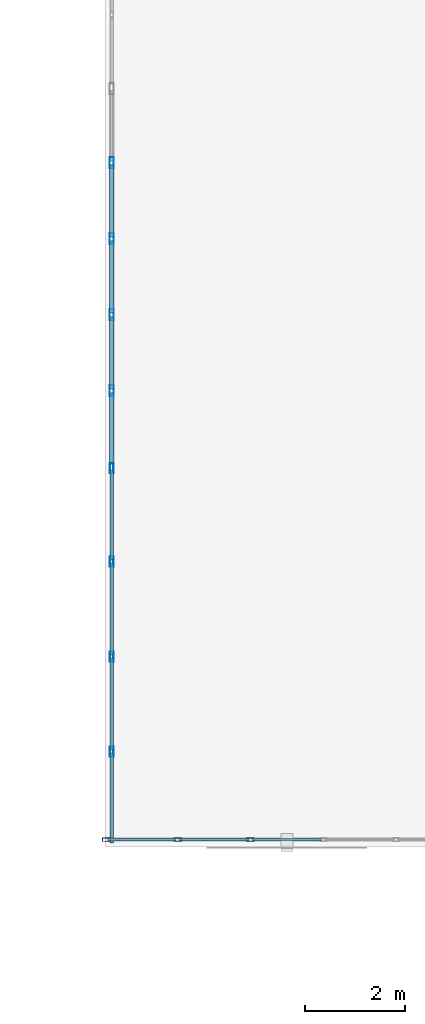
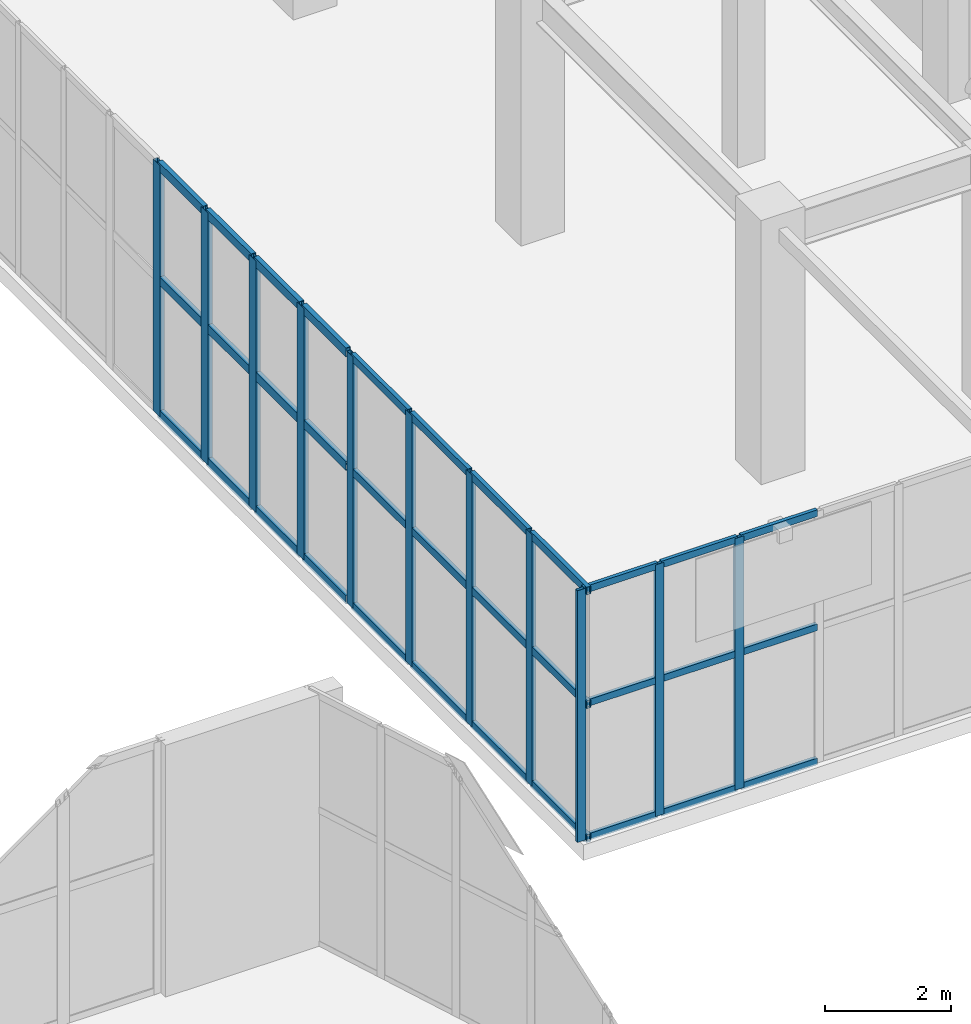
# One storey, part 72 of 128: 44 members, 3 elements without a shape of their own.
"""IFC4 building model written with IfcOpenShell, lengths in metres."""

from ifc_helpers import new_model, si_unit, direction, frame, origin, origin_2d, place, context, subcontext, project, spatial, hollow_rectangle, extrude, material, layer, layer_set, material_profile, profile_set, type_object, element, aggregate, save


model = new_model("IFC4")

# Units and contexts
model_context = context("Model", 3, precision=1e-05, world=origin(), true_north=direction((0.0, 1.0)))
body_context = subcontext(model_context, "Body", "Model", "MODEL_VIEW")
ifc_project = project(units=[si_unit("LENGTHUNIT", "METRE"), si_unit("AREAUNIT", "SQUARE_METRE"), si_unit("VOLUMEUNIT", "CUBIC_METRE"), si_unit("PLANEANGLEUNIT", "RADIAN"), si_unit("MASSUNIT", "GRAM", prefix="KILO")], contexts=[model_context])

# Site, building, storey
site_placement = place(None, origin())
site = spatial("IfcSite", under=ifc_project, at=site_placement, CompositionType="ELEMENT")
building_placement = place(site_placement, origin())
building = spatial("IfcBuilding", under=site, at=building_placement, Name="Xicomal Pleat Aquarium", CompositionType="ELEMENT")
storey_placement = place(building_placement, frame((0.0, 0.0, 5.39990234375)))
storey = spatial("IfcBuildingStorey", under=building, at=storey_placement, Name="L02", CompositionType="ELEMENT", Elevation=5.39990234375)

# Curtain wall, members
ifc_material_1 = material(Name="Bronze anodized aluminium 6063-T6", Category="aluminium")
ifc_layer_1 = layer(ifc_material_1, 0.159912109375)
ifc_layer_set_1 = layer_set([ifc_layer_1], Name="Bronze anodized aluminium 6063-T6")
curtain_wall_type_1 = type_object("IfcCurtainWallType", Name="CW-SYS-02", PredefinedType="NOTDEFINED", material=ifc_layer_set_1)
curtain_wall_1_placement = place(storey_placement, origin())
curtain_wall_1 = element("IfcCurtainWall", 1, at=curtain_wall_1_placement, inside=storey, type_object=curtain_wall_type_1, Name="L02 unitised curtain wall CW-L02-084", PredefinedType="NOTDEFINED")
ifc_material_2 = material(Name="Bronze anodized aluminium 6063-T6", Category="aluminium")
ifc_material_profile_1 = material_profile(ifc_material_2, hollow_rectangle(XDim=0.06494140625, YDim=0.159912109375, WallThickness=0.00390625, at=origin_2d()), Name="ALU MULL 65x160")
ifc_profile_set_1 = profile_set([ifc_material_profile_1], Name="Bronze anodized aluminium 6063-T6")
member_type_1 = type_object("IfcMemberType", Name="CWM-65x160", PredefinedType="MULLION", material=ifc_profile_set_1)
member_1_placement = place(storey_placement, frame((128.912109375, 76.139892578125, 0.0), z_axis=(0.0, 0.0, 1.0), x_axis=(0.0, -1.0, 0.0)))
member_1 = element("IfcMember", 2, at=member_1_placement, type_object=member_type_1, Name="CW-02 mullion 4", PredefinedType="MULLION", context=body_context, shape_type="SweptSolid", body=[
    extrude(hollow_rectangle(XDim=0.06494140625, YDim=0.159912109375, WallThickness=0.00390625, at=origin_2d()), origin(), (0.0, 0.0, 1.0), 4.860107421875),
])
member_2_placement = place(storey_placement, frame((127.4560546875, 76.139892578125, 0.0), z_axis=(0.0, 0.0, 1.0), x_axis=(0.0, -1.0, 0.0)))
member_2 = element("IfcMember", 3, at=member_2_placement, type_object=member_type_1, Name="CW-02 mullion 5", PredefinedType="MULLION", context=body_context, shape_type="SweptSolid", body=[
    extrude(hollow_rectangle(XDim=0.06494140625, YDim=0.159912109375, WallThickness=0.00390625, at=origin_2d()), origin(), (0.0, 0.0, 1.0), 4.860107421875),
])
member_3_placement = place(storey_placement, frame((126.032470703125, 76.139892578125, 0.0), z_axis=(0.0, 0.0, 1.0), x_axis=(0.0, -1.0, 0.0)))
member_3 = element("IfcMember", 4, at=member_3_placement, type_object=member_type_1, Name="CW-02 mullion 6", PredefinedType="MULLION", context=body_context, shape_type="SweptSolid", body=[
    extrude(hollow_rectangle(XDim=0.06494140625, YDim=0.159912109375, WallThickness=0.00390625, at=origin_2d()), origin(), (0.0, 0.0, 1.0), 4.860107421875),
])

ifc_material_3 = material(Name="Bronze anodized aluminium 6063-T6", Category="aluminium")
ifc_layer_2 = layer(ifc_material_3, 0.159912109375)
ifc_layer_set_2 = layer_set([ifc_layer_2], Name="Bronze anodized aluminium 6063-T6")
curtain_wall_type_2 = type_object("IfcCurtainWallType", Name="CW-SYS-07", PredefinedType="NOTDEFINED", material=ifc_layer_set_2)
curtain_wall_2_placement = place(storey_placement, origin())
curtain_wall_2 = element("IfcCurtainWall", 5, at=curtain_wall_2_placement, inside=storey, type_object=curtain_wall_type_2, Name="L02 unitised curtain wall CW-L02-085", PredefinedType="NOTDEFINED")
ifc_material_4 = material(Name="Bronze anodized aluminium 6063-T6", Category="aluminium")
ifc_material_profile_2 = material_profile(ifc_material_4, hollow_rectangle(XDim=0.074951171875, YDim=0.199951171875, WallThickness=0.00439453125, at=origin_2d()), Name="ALU MULL 75x200")
ifc_profile_set_2 = profile_set([ifc_material_profile_2], Name="Bronze anodized aluminium 6063-T6")
member_type_2 = type_object("IfcMemberType", Name="CWM-75x200", PredefinedType="MULLION", material=ifc_profile_set_2)
member_4_placement = place(storey_placement, frame((126.139892578125, 77.89990234375, 0.0), z_axis=(0.0, 0.0, 1.0), x_axis=(-1.0, 0.0, 0.0)))
member_4 = element("IfcMember", 6, at=member_4_placement, type_object=member_type_2, Name="CW-07 mullion 2", PredefinedType="MULLION", context=body_context, shape_type="SweptSolid", body=[
    extrude(hollow_rectangle(XDim=0.074951171875, YDim=0.199951171875, WallThickness=0.00439453125, at=origin_2d()), origin(), (0.0, 0.0, 1.0), 4.860107421875),
])
member_5_placement = place(storey_placement, frame((126.139892578125, 79.800048828125, 0.0), z_axis=(0.0, 0.0, 1.0), x_axis=(-1.0, 0.0, 0.0)))
member_5 = element("IfcMember", 7, at=member_5_placement, type_object=member_type_2, Name="CW-07 mullion 3", PredefinedType="MULLION", context=body_context, shape_type="SweptSolid", body=[
    extrude(hollow_rectangle(XDim=0.074951171875, YDim=0.199951171875, WallThickness=0.00439453125, at=origin_2d()), origin(), (0.0, 0.0, 1.0), 4.860107421875),
])
member_6_placement = place(storey_placement, frame((126.139892578125, 81.699951171875, 0.0), z_axis=(0.0, 0.0, 1.0), x_axis=(-1.0, 0.0, 0.0)))
member_6 = element("IfcMember", 8, at=member_6_placement, type_object=member_type_2, Name="CW-07 mullion 4", PredefinedType="MULLION", context=body_context, shape_type="SweptSolid", body=[
    extrude(hollow_rectangle(XDim=0.074951171875, YDim=0.199951171875, WallThickness=0.00439453125, at=origin_2d()), origin(), (0.0, 0.0, 1.0), 4.860107421875),
])
member_7_placement = place(storey_placement, frame((126.139892578125, 83.5625, 0.0), z_axis=(0.0, 0.0, 1.0), x_axis=(-1.0, 0.0, 0.0)))
member_7 = element("IfcMember", 9, at=member_7_placement, type_object=member_type_2, Name="CW-07 mullion 5", PredefinedType="MULLION", context=body_context, shape_type="SweptSolid", body=[
    extrude(hollow_rectangle(XDim=0.074951171875, YDim=0.199951171875, WallThickness=0.00439453125, at=origin_2d()), origin(), (0.0, 0.0, 1.0), 4.860107421875),
])

ifc_material_5 = material(Name="Bronze anodized aluminium 6063-T6", Category="aluminium")
ifc_layer_3 = layer(ifc_material_5, 0.159912109375)
ifc_layer_set_3 = layer_set([ifc_layer_3], Name="Bronze anodized aluminium 6063-T6")
curtain_wall_type_3 = type_object("IfcCurtainWallType", Name="CW-SYS-12", PredefinedType="NOTDEFINED", material=ifc_layer_set_3)
curtain_wall_3_placement = place(storey_placement, origin())
curtain_wall_3 = element("IfcCurtainWall", 10, at=curtain_wall_3_placement, inside=storey, type_object=curtain_wall_type_3, Name="L02 unitised curtain wall CW-L02-086", PredefinedType="NOTDEFINED")
ifc_material_6 = material(Name="Bronze anodized aluminium 6063-T6", Category="aluminium")
ifc_material_profile_3 = material_profile(ifc_material_6, hollow_rectangle(XDim=0.0849609375, YDim=0.219970703125, WallThickness=0.0048828125, at=origin_2d()), Name="ALU MULL 85x220")
ifc_profile_set_3 = profile_set([ifc_material_profile_3], Name="Bronze anodized aluminium 6063-T6")
member_type_3 = type_object("IfcMemberType", Name="CWM-85x220", PredefinedType="MULLION", material=ifc_profile_set_3)
member_8_placement = place(storey_placement, frame((126.139892578125, 85.1201171875, 0.0), z_axis=(0.0, 0.0, 1.0), x_axis=(-1.0, 0.0, 0.0)))
member_8 = element("IfcMember", 11, at=member_8_placement, type_object=member_type_3, Name="CW-12 mullion 2", PredefinedType="MULLION", context=body_context, shape_type="SweptSolid", body=[
    extrude(hollow_rectangle(XDim=0.0849609375, YDim=0.219970703125, WallThickness=0.0048828125, at=origin_2d()), origin(), (0.0, 0.0, 1.0), 4.860107421875),
])
member_9_placement = place(storey_placement, frame((126.139892578125, 86.639892578125, 0.0), z_axis=(0.0, 0.0, 1.0), x_axis=(-1.0, 0.0, 0.0)))
member_9 = element("IfcMember", 12, at=member_9_placement, type_object=member_type_3, Name="CW-12 mullion 3", PredefinedType="MULLION", context=body_context, shape_type="SweptSolid", body=[
    extrude(hollow_rectangle(XDim=0.0849609375, YDim=0.219970703125, WallThickness=0.0048828125, at=origin_2d()), origin(), (0.0, 0.0, 1.0), 4.860107421875),
])
member_10_placement = place(storey_placement, frame((126.139892578125, 88.159912109375, 0.0), z_axis=(0.0, 0.0, 1.0), x_axis=(-1.0, 0.0, 0.0)))
member_10 = element("IfcMember", 13, at=member_10_placement, type_object=member_type_3, Name="CW-12 mullion 4", PredefinedType="MULLION", context=body_context, shape_type="SweptSolid", body=[
    extrude(hollow_rectangle(XDim=0.0849609375, YDim=0.219970703125, WallThickness=0.0048828125, at=origin_2d()), origin(), (0.0, 0.0, 1.0), 4.860107421875),
])
member_11_placement = place(storey_placement, frame((126.139892578125, 89.679931640625, 0.0), z_axis=(0.0, 0.0, 1.0), x_axis=(-1.0, 0.0, 0.0)))
member_11 = element("IfcMember", 14, at=member_11_placement, type_object=member_type_3, Name="CW-12 mullion 5", PredefinedType="MULLION", context=body_context, shape_type="SweptSolid", body=[
    extrude(hollow_rectangle(XDim=0.0849609375, YDim=0.219970703125, WallThickness=0.0048828125, at=origin_2d()), origin(), (0.0, 0.0, 1.0), 4.860107421875),
])

# Member
ifc_material_7 = material(Name="Bronze anodized aluminium 6063-T6", Category="aluminium")
ifc_material_profile_4 = material_profile(ifc_material_7, hollow_rectangle(XDim=0.06494140625, YDim=0.1298828125, WallThickness=0.00390625, at=origin_2d()), Name="ALU TRAN 65x130")
ifc_profile_set_4 = profile_set([ifc_material_profile_4], Name="Bronze anodized aluminium 6063-T6")
member_type_4 = type_object("IfcMemberType", Name="CWT-65x130", PredefinedType="USERDEFINED", material=ifc_profile_set_4)
member_12_placement = place(storey_placement, frame((130.33544921875, 76.139892578125, 0.03271484375), z_axis=(-1.0, 0.0, 0.0), x_axis=(0.0, -1.0, 0.0)))
member_12 = element("IfcMember", 15, at=member_12_placement, type_object=member_type_4, Name="CW-02 transom 3.1", ObjectType="TRANSOM", PredefinedType="USERDEFINED", context=body_context, shape_type="SweptSolid", body=[
    extrude(hollow_rectangle(XDim=0.06494140625, YDim=0.1298828125, WallThickness=0.00390625, at=origin_2d()), origin(), (0.0, 0.0, 1.0), 1.390869140625),
])

member_13_placement = place(storey_placement, frame((130.33544921875, 76.139892578125, 2.6240234375), z_axis=(-1.0, 0.0, 0.0), x_axis=(0.0, -1.0, 0.0)))
member_13 = element("IfcMember", 16, at=member_13_placement, type_object=member_type_4, Name="CW-02 transom 3.2", ObjectType="TRANSOM", PredefinedType="USERDEFINED", context=body_context, shape_type="SweptSolid", body=[
    extrude(hollow_rectangle(XDim=0.06494140625, YDim=0.1298828125, WallThickness=0.00390625, at=origin_2d()), origin(), (0.0, 0.0, 1.0), 1.390869140625),
])

member_14_placement = place(storey_placement, frame((130.33544921875, 76.139892578125, 4.82763671875), z_axis=(-1.0, 0.0, 0.0), x_axis=(0.0, -1.0, 0.0)))
member_14 = element("IfcMember", 17, at=member_14_placement, type_object=member_type_4, Name="CW-02 transom 3.3", ObjectType="TRANSOM", PredefinedType="USERDEFINED", context=body_context, shape_type="SweptSolid", body=[
    extrude(hollow_rectangle(XDim=0.06494140625, YDim=0.1298828125, WallThickness=0.00390625, at=origin_2d()), origin(), (0.0, 0.0, 1.0), 1.390869140625),
])

member_15_placement = place(storey_placement, frame((128.87939453125, 76.139892578125, 0.03271484375), z_axis=(-1.0, 0.0, 0.0), x_axis=(0.0, -1.0, 0.0)))
member_15 = element("IfcMember", 18, at=member_15_placement, type_object=member_type_4, Name="CW-02 transom 4.1", ObjectType="TRANSOM", PredefinedType="USERDEFINED", context=body_context, shape_type="SweptSolid", body=[
    extrude(hollow_rectangle(XDim=0.06494140625, YDim=0.1298828125, WallThickness=0.00390625, at=origin_2d()), origin(), (0.0, 0.0, 1.0), 1.390869140625),
])

member_16_placement = place(storey_placement, frame((128.87939453125, 76.139892578125, 2.6240234375), z_axis=(-1.0, 0.0, 0.0), x_axis=(0.0, -1.0, 0.0)))
member_16 = element("IfcMember", 19, at=member_16_placement, type_object=member_type_4, Name="CW-02 transom 4.2", ObjectType="TRANSOM", PredefinedType="USERDEFINED", context=body_context, shape_type="SweptSolid", body=[
    extrude(hollow_rectangle(XDim=0.06494140625, YDim=0.1298828125, WallThickness=0.00390625, at=origin_2d()), origin(), (0.0, 0.0, 1.0), 1.390869140625),
])

member_17_placement = place(storey_placement, frame((128.87939453125, 76.139892578125, 4.82763671875), z_axis=(-1.0, 0.0, 0.0), x_axis=(0.0, -1.0, 0.0)))
member_17 = element("IfcMember", 20, at=member_17_placement, type_object=member_type_4, Name="CW-02 transom 4.3", ObjectType="TRANSOM", PredefinedType="USERDEFINED", context=body_context, shape_type="SweptSolid", body=[
    extrude(hollow_rectangle(XDim=0.06494140625, YDim=0.1298828125, WallThickness=0.00390625, at=origin_2d()), origin(), (0.0, 0.0, 1.0), 1.390869140625),
])

member_18_placement = place(storey_placement, frame((127.423583984375, 76.139892578125, 0.03271484375), z_axis=(-1.0, 0.0, 0.0), x_axis=(0.0, -1.0, 0.0)))
member_18 = element("IfcMember", 21, at=member_18_placement, type_object=member_type_4, Name="CW-02 transom 5.1", ObjectType="TRANSOM", PredefinedType="USERDEFINED", context=body_context, shape_type="SweptSolid", body=[
    extrude(hollow_rectangle(XDim=0.06494140625, YDim=0.1298828125, WallThickness=0.00390625, at=origin_2d()), origin(), (0.0, 0.0, 1.0), 1.358642578125),
])

member_19_placement = place(storey_placement, frame((127.423583984375, 76.139892578125, 2.6240234375), z_axis=(-1.0, 0.0, 0.0), x_axis=(0.0, -1.0, 0.0)))
member_19 = element("IfcMember", 22, at=member_19_placement, type_object=member_type_4, Name="CW-02 transom 5.2", ObjectType="TRANSOM", PredefinedType="USERDEFINED", context=body_context, shape_type="SweptSolid", body=[
    extrude(hollow_rectangle(XDim=0.06494140625, YDim=0.1298828125, WallThickness=0.00390625, at=origin_2d()), origin(), (0.0, 0.0, 1.0), 1.358642578125),
])

member_20_placement = place(storey_placement, frame((127.423583984375, 76.139892578125, 4.82763671875), z_axis=(-1.0, 0.0, 0.0), x_axis=(0.0, -1.0, 0.0)))
member_20 = element("IfcMember", 23, at=member_20_placement, type_object=member_type_4, Name="CW-02 transom 5.3", ObjectType="TRANSOM", PredefinedType="USERDEFINED", context=body_context, shape_type="SweptSolid", body=[
    extrude(hollow_rectangle(XDim=0.06494140625, YDim=0.1298828125, WallThickness=0.00390625, at=origin_2d()), origin(), (0.0, 0.0, 1.0), 1.358642578125),
])

aggregate(curtain_wall_1, [member_1, member_2, member_3, member_12, member_13, member_14, member_15, member_16, member_17, member_18, member_19, member_20])

ifc_material_8 = material(Name="Bronze anodized aluminium 6063-T6", Category="aluminium")
ifc_material_profile_5 = material_profile(ifc_material_8, hollow_rectangle(XDim=0.074951171875, YDim=0.14990234375, WallThickness=0.00439453125, at=origin_2d()), Name="ALU TRAN 75x150")
ifc_profile_set_5 = profile_set([ifc_material_profile_5], Name="Bronze anodized aluminium 6063-T6")
member_type_5 = type_object("IfcMemberType", Name="CWT-75x150", PredefinedType="USERDEFINED", material=ifc_profile_set_5)
member_21_placement = place(storey_placement, frame((126.139892578125, 76.074951171875, 0.03759765625), z_axis=(0.0, 1.0, 0.0), x_axis=(-1.0, 0.0, 0.0)))
member_21 = element("IfcMember", 24, at=member_21_placement, type_object=member_type_5, Name="CW-07 transom 1.1", ObjectType="TRANSOM", PredefinedType="USERDEFINED", context=body_context, shape_type="SweptSolid", body=[
    extrude(hollow_rectangle(XDim=0.074951171875, YDim=0.14990234375, WallThickness=0.00439453125, at=origin_2d()), origin(), (0.0, 0.0, 1.0), 1.78759765625),
])

member_22_placement = place(storey_placement, frame((126.139892578125, 76.074951171875, 2.6240234375), z_axis=(0.0, 1.0, 0.0), x_axis=(-1.0, 0.0, 0.0)))
member_22 = element("IfcMember", 25, at=member_22_placement, type_object=member_type_5, Name="CW-07 transom 1.2", ObjectType="TRANSOM", PredefinedType="USERDEFINED", context=body_context, shape_type="SweptSolid", body=[
    extrude(hollow_rectangle(XDim=0.074951171875, YDim=0.14990234375, WallThickness=0.00439453125, at=origin_2d()), origin(), (0.0, 0.0, 1.0), 1.78759765625),
])

member_23_placement = place(storey_placement, frame((126.139892578125, 76.074951171875, 4.822509765625), z_axis=(0.0, 1.0, 0.0), x_axis=(-1.0, 0.0, 0.0)))
member_23 = element("IfcMember", 26, at=member_23_placement, type_object=member_type_5, Name="CW-07 transom 1.3", ObjectType="TRANSOM", PredefinedType="USERDEFINED", context=body_context, shape_type="SweptSolid", body=[
    extrude(hollow_rectangle(XDim=0.074951171875, YDim=0.14990234375, WallThickness=0.00439453125, at=origin_2d()), origin(), (0.0, 0.0, 1.0), 1.78759765625),
])

member_24_placement = place(storey_placement, frame((126.139892578125, 77.9375, 0.03759765625), z_axis=(0.0, 1.0, 0.0), x_axis=(-1.0, 0.0, 0.0)))
member_24 = element("IfcMember", 27, at=member_24_placement, type_object=member_type_5, Name="CW-07 transom 2.1", ObjectType="TRANSOM", PredefinedType="USERDEFINED", context=body_context, shape_type="SweptSolid", body=[
    extrude(hollow_rectangle(XDim=0.074951171875, YDim=0.14990234375, WallThickness=0.00439453125, at=origin_2d()), origin(), (0.0, 0.0, 1.0), 1.824951171875),
])

member_25_placement = place(storey_placement, frame((126.139892578125, 77.9375, 2.6240234375), z_axis=(0.0, 1.0, 0.0), x_axis=(-1.0, 0.0, 0.0)))
member_25 = element("IfcMember", 28, at=member_25_placement, type_object=member_type_5, Name="CW-07 transom 2.2", ObjectType="TRANSOM", PredefinedType="USERDEFINED", context=body_context, shape_type="SweptSolid", body=[
    extrude(hollow_rectangle(XDim=0.074951171875, YDim=0.14990234375, WallThickness=0.00439453125, at=origin_2d()), origin(), (0.0, 0.0, 1.0), 1.824951171875),
])

member_26_placement = place(storey_placement, frame((126.139892578125, 77.9375, 4.822509765625), z_axis=(0.0, 1.0, 0.0), x_axis=(-1.0, 0.0, 0.0)))
member_26 = element("IfcMember", 29, at=member_26_placement, type_object=member_type_5, Name="CW-07 transom 2.3", ObjectType="TRANSOM", PredefinedType="USERDEFINED", context=body_context, shape_type="SweptSolid", body=[
    extrude(hollow_rectangle(XDim=0.074951171875, YDim=0.14990234375, WallThickness=0.00439453125, at=origin_2d()), origin(), (0.0, 0.0, 1.0), 1.824951171875),
])

member_27_placement = place(storey_placement, frame((126.139892578125, 79.83740234375, 0.03759765625), z_axis=(0.0, 1.0, 0.0), x_axis=(-1.0, 0.0, 0.0)))
member_27 = element("IfcMember", 30, at=member_27_placement, type_object=member_type_5, Name="CW-07 transom 3.1", ObjectType="TRANSOM", PredefinedType="USERDEFINED", context=body_context, shape_type="SweptSolid", body=[
    extrude(hollow_rectangle(XDim=0.074951171875, YDim=0.14990234375, WallThickness=0.00439453125, at=origin_2d()), origin(), (0.0, 0.0, 1.0), 1.8251953125),
])

member_28_placement = place(storey_placement, frame((126.139892578125, 79.83740234375, 2.6240234375), z_axis=(0.0, 1.0, 0.0), x_axis=(-1.0, 0.0, 0.0)))
member_28 = element("IfcMember", 31, at=member_28_placement, type_object=member_type_5, Name="CW-07 transom 3.2", ObjectType="TRANSOM", PredefinedType="USERDEFINED", context=body_context, shape_type="SweptSolid", body=[
    extrude(hollow_rectangle(XDim=0.074951171875, YDim=0.14990234375, WallThickness=0.00439453125, at=origin_2d()), origin(), (0.0, 0.0, 1.0), 1.8251953125),
])

member_29_placement = place(storey_placement, frame((126.139892578125, 79.83740234375, 4.822509765625), z_axis=(0.0, 1.0, 0.0), x_axis=(-1.0, 0.0, 0.0)))
member_29 = element("IfcMember", 32, at=member_29_placement, type_object=member_type_5, Name="CW-07 transom 3.3", ObjectType="TRANSOM", PredefinedType="USERDEFINED", context=body_context, shape_type="SweptSolid", body=[
    extrude(hollow_rectangle(XDim=0.074951171875, YDim=0.14990234375, WallThickness=0.00439453125, at=origin_2d()), origin(), (0.0, 0.0, 1.0), 1.8251953125),
])

member_30_placement = place(storey_placement, frame((126.139892578125, 81.737548828125, 0.03759765625), z_axis=(0.0, 1.0, 0.0), x_axis=(-1.0, 0.0, 0.0)))
member_30 = element("IfcMember", 33, at=member_30_placement, type_object=member_type_5, Name="CW-07 transom 4.1", ObjectType="TRANSOM", PredefinedType="USERDEFINED", context=body_context, shape_type="SweptSolid", body=[
    extrude(hollow_rectangle(XDim=0.074951171875, YDim=0.14990234375, WallThickness=0.00439453125, at=origin_2d()), origin(), (0.0, 0.0, 1.0), 1.787353515625),
])

member_31_placement = place(storey_placement, frame((126.139892578125, 81.737548828125, 2.6240234375), z_axis=(0.0, 1.0, 0.0), x_axis=(-1.0, 0.0, 0.0)))
member_31 = element("IfcMember", 34, at=member_31_placement, type_object=member_type_5, Name="CW-07 transom 4.2", ObjectType="TRANSOM", PredefinedType="USERDEFINED", context=body_context, shape_type="SweptSolid", body=[
    extrude(hollow_rectangle(XDim=0.074951171875, YDim=0.14990234375, WallThickness=0.00439453125, at=origin_2d()), origin(), (0.0, 0.0, 1.0), 1.787353515625),
])

member_32_placement = place(storey_placement, frame((126.139892578125, 81.737548828125, 4.822509765625), z_axis=(0.0, 1.0, 0.0), x_axis=(-1.0, 0.0, 0.0)))
member_32 = element("IfcMember", 35, at=member_32_placement, type_object=member_type_5, Name="CW-07 transom 4.3", ObjectType="TRANSOM", PredefinedType="USERDEFINED", context=body_context, shape_type="SweptSolid", body=[
    extrude(hollow_rectangle(XDim=0.074951171875, YDim=0.14990234375, WallThickness=0.00439453125, at=origin_2d()), origin(), (0.0, 0.0, 1.0), 1.787353515625),
])

aggregate(curtain_wall_2, [member_4, member_5, member_6, member_7, member_21, member_22, member_23, member_24, member_25, member_26, member_27, member_28, member_29, member_30, member_31, member_32])

ifc_material_9 = material(Name="Bronze anodized aluminium 6063-T6", Category="aluminium")
ifc_material_profile_6 = material_profile(ifc_material_9, hollow_rectangle(XDim=0.0849609375, YDim=0.169921875, WallThickness=0.0048828125, at=origin_2d()), Name="ALU TRAN 85x170")
ifc_profile_set_6 = profile_set([ifc_material_profile_6], Name="Bronze anodized aluminium 6063-T6")
member_type_6 = type_object("IfcMemberType", Name="CWT-85x170", PredefinedType="USERDEFINED", material=ifc_profile_set_6)
member_33_placement = place(storey_placement, frame((126.139892578125, 83.68505859375, 0.04248046875), z_axis=(0.0, 1.0, 0.0), x_axis=(-1.0, 0.0, 0.0)))
member_33 = element("IfcMember", 36, at=member_33_placement, type_object=member_type_6, Name="CW-12 transom 1.1", ObjectType="TRANSOM", PredefinedType="USERDEFINED", context=body_context, shape_type="SweptSolid", body=[
    extrude(hollow_rectangle(XDim=0.0849609375, YDim=0.169921875, WallThickness=0.0048828125, at=origin_2d()), origin(), (0.0, 0.0, 1.0), 1.392333984375),
])

member_34_placement = place(storey_placement, frame((126.139892578125, 83.68505859375, 2.6240234375), z_axis=(0.0, 1.0, 0.0), x_axis=(-1.0, 0.0, 0.0)))
member_34 = element("IfcMember", 37, at=member_34_placement, type_object=member_type_6, Name="CW-12 transom 1.2", ObjectType="TRANSOM", PredefinedType="USERDEFINED", context=body_context, shape_type="SweptSolid", body=[
    extrude(hollow_rectangle(XDim=0.0849609375, YDim=0.169921875, WallThickness=0.0048828125, at=origin_2d()), origin(), (0.0, 0.0, 1.0), 1.392333984375),
])

member_35_placement = place(storey_placement, frame((126.139892578125, 83.68505859375, 4.817626953125), z_axis=(0.0, 1.0, 0.0), x_axis=(-1.0, 0.0, 0.0)))
member_35 = element("IfcMember", 38, at=member_35_placement, type_object=member_type_6, Name="CW-12 transom 1.3", ObjectType="TRANSOM", PredefinedType="USERDEFINED", context=body_context, shape_type="SweptSolid", body=[
    extrude(hollow_rectangle(XDim=0.0849609375, YDim=0.169921875, WallThickness=0.0048828125, at=origin_2d()), origin(), (0.0, 0.0, 1.0), 1.392333984375),
])

member_36_placement = place(storey_placement, frame((126.139892578125, 85.16259765625, 0.04248046875), z_axis=(0.0, 1.0, 0.0), x_axis=(-1.0, 0.0, 0.0)))
member_36 = element("IfcMember", 39, at=member_36_placement, type_object=member_type_6, Name="CW-12 transom 2.1", ObjectType="TRANSOM", PredefinedType="USERDEFINED", context=body_context, shape_type="SweptSolid", body=[
    extrude(hollow_rectangle(XDim=0.0849609375, YDim=0.169921875, WallThickness=0.0048828125, at=origin_2d()), origin(), (0.0, 0.0, 1.0), 1.434814453125),
])

member_37_placement = place(storey_placement, frame((126.139892578125, 85.16259765625, 2.6240234375), z_axis=(0.0, 1.0, 0.0), x_axis=(-1.0, 0.0, 0.0)))
member_37 = element("IfcMember", 40, at=member_37_placement, type_object=member_type_6, Name="CW-12 transom 2.2", ObjectType="TRANSOM", PredefinedType="USERDEFINED", context=body_context, shape_type="SweptSolid", body=[
    extrude(hollow_rectangle(XDim=0.0849609375, YDim=0.169921875, WallThickness=0.0048828125, at=origin_2d()), origin(), (0.0, 0.0, 1.0), 1.434814453125),
])

member_38_placement = place(storey_placement, frame((126.139892578125, 85.16259765625, 4.817626953125), z_axis=(0.0, 1.0, 0.0), x_axis=(-1.0, 0.0, 0.0)))
member_38 = element("IfcMember", 41, at=member_38_placement, type_object=member_type_6, Name="CW-12 transom 2.3", ObjectType="TRANSOM", PredefinedType="USERDEFINED", context=body_context, shape_type="SweptSolid", body=[
    extrude(hollow_rectangle(XDim=0.0849609375, YDim=0.169921875, WallThickness=0.0048828125, at=origin_2d()), origin(), (0.0, 0.0, 1.0), 1.434814453125),
])

member_39_placement = place(storey_placement, frame((126.139892578125, 86.6826171875, 0.04248046875), z_axis=(0.0, 1.0, 0.0), x_axis=(-1.0, 0.0, 0.0)))
member_39 = element("IfcMember", 42, at=member_39_placement, type_object=member_type_6, Name="CW-12 transom 3.1", ObjectType="TRANSOM", PredefinedType="USERDEFINED", context=body_context, shape_type="SweptSolid", body=[
    extrude(hollow_rectangle(XDim=0.0849609375, YDim=0.169921875, WallThickness=0.0048828125, at=origin_2d()), origin(), (0.0, 0.0, 1.0), 1.434814453125),
])

member_40_placement = place(storey_placement, frame((126.139892578125, 86.6826171875, 2.6240234375), z_axis=(0.0, 1.0, 0.0), x_axis=(-1.0, 0.0, 0.0)))
member_40 = element("IfcMember", 43, at=member_40_placement, type_object=member_type_6, Name="CW-12 transom 3.2", ObjectType="TRANSOM", PredefinedType="USERDEFINED", context=body_context, shape_type="SweptSolid", body=[
    extrude(hollow_rectangle(XDim=0.0849609375, YDim=0.169921875, WallThickness=0.0048828125, at=origin_2d()), origin(), (0.0, 0.0, 1.0), 1.434814453125),
])

member_41_placement = place(storey_placement, frame((126.139892578125, 86.6826171875, 4.817626953125), z_axis=(0.0, 1.0, 0.0), x_axis=(-1.0, 0.0, 0.0)))
member_41 = element("IfcMember", 44, at=member_41_placement, type_object=member_type_6, Name="CW-12 transom 3.3", ObjectType="TRANSOM", PredefinedType="USERDEFINED", context=body_context, shape_type="SweptSolid", body=[
    extrude(hollow_rectangle(XDim=0.0849609375, YDim=0.169921875, WallThickness=0.0048828125, at=origin_2d()), origin(), (0.0, 0.0, 1.0), 1.434814453125),
])

member_42_placement = place(storey_placement, frame((126.139892578125, 88.202392578125, 0.04248046875), z_axis=(0.0, 1.0, 0.0), x_axis=(-1.0, 0.0, 0.0)))
member_42 = element("IfcMember", 45, at=member_42_placement, type_object=member_type_6, Name="CW-12 transom 4.1", ObjectType="TRANSOM", PredefinedType="USERDEFINED", context=body_context, shape_type="SweptSolid", body=[
    extrude(hollow_rectangle(XDim=0.0849609375, YDim=0.169921875, WallThickness=0.0048828125, at=origin_2d()), origin(), (0.0, 0.0, 1.0), 1.43505859375),
])

member_43_placement = place(storey_placement, frame((126.139892578125, 88.202392578125, 2.6240234375), z_axis=(0.0, 1.0, 0.0), x_axis=(-1.0, 0.0, 0.0)))
member_43 = element("IfcMember", 46, at=member_43_placement, type_object=member_type_6, Name="CW-12 transom 4.2", ObjectType="TRANSOM", PredefinedType="USERDEFINED", context=body_context, shape_type="SweptSolid", body=[
    extrude(hollow_rectangle(XDim=0.0849609375, YDim=0.169921875, WallThickness=0.0048828125, at=origin_2d()), origin(), (0.0, 0.0, 1.0), 1.43505859375),
])

member_44_placement = place(storey_placement, frame((126.139892578125, 88.202392578125, 4.817626953125), z_axis=(0.0, 1.0, 0.0), x_axis=(-1.0, 0.0, 0.0)))
member_44 = element("IfcMember", 47, at=member_44_placement, type_object=member_type_6, Name="CW-12 transom 4.3", ObjectType="TRANSOM", PredefinedType="USERDEFINED", context=body_context, shape_type="SweptSolid", body=[
    extrude(hollow_rectangle(XDim=0.0849609375, YDim=0.169921875, WallThickness=0.0048828125, at=origin_2d()), origin(), (0.0, 0.0, 1.0), 1.43505859375),
])

aggregate(curtain_wall_3, [member_8, member_9, member_10, member_11, member_33, member_34, member_35, member_36, member_37, member_38, member_39, member_40, member_41, member_42, member_43, member_44])

save(model, "model.ifc")
